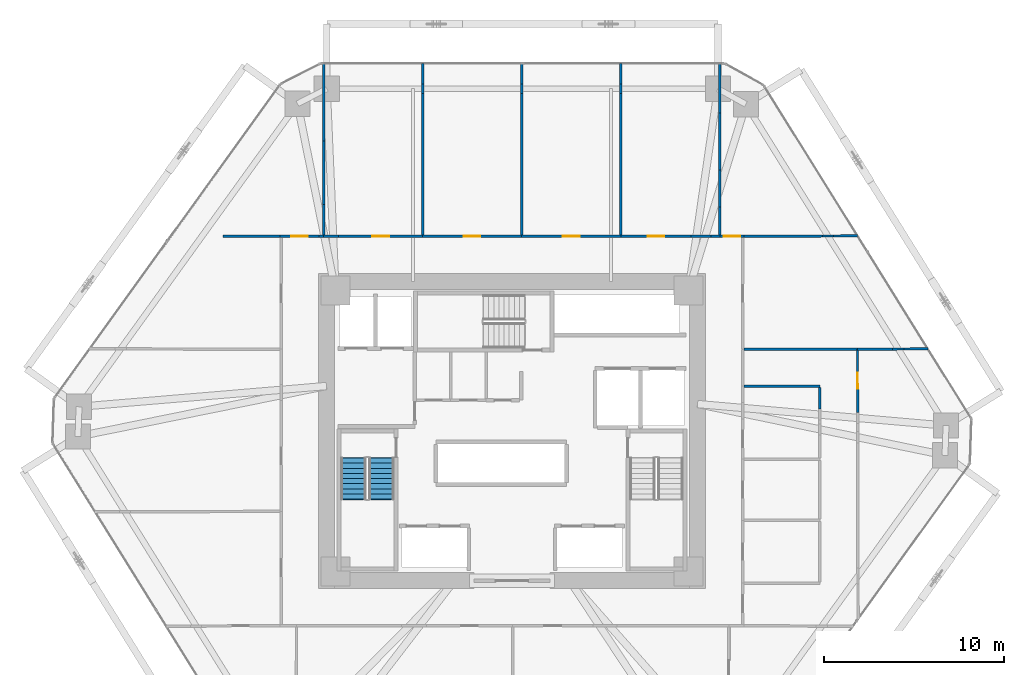
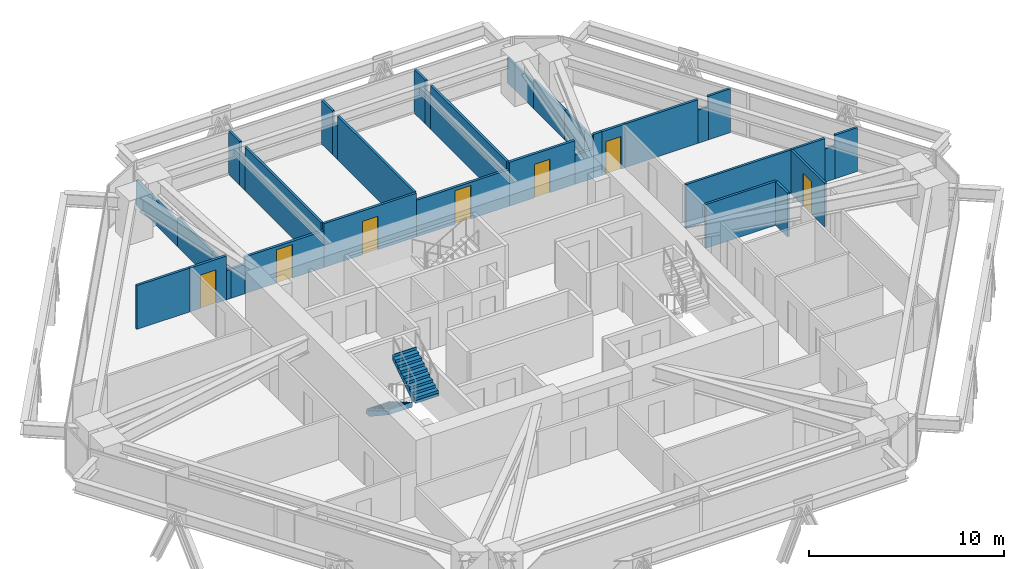
# One storey, part 16 of 18: 37 walls, 7 doors, 2 stair flights, 7 openings, 1 element without a shape of its own.
"""IFC4 building model written with IfcOpenShell, lengths in metres."""

from ifc_helpers import new_model, si_unit, direction, frame, frame_2d, origin, place, context, subcontext, project, spatial, polyline, rectangle, outline, extrude, source, transform, mapped, material, layer, layer_set, type_object, type_shapes, element, fill, aggregate, save


model = new_model("IFC4")

# Units and contexts
model_context = context("Model", 3, precision=1e-05, world=origin(), true_north=direction((0.0, 1.0)))
body_context = subcontext(model_context, "Body", "Model", "MODEL_VIEW")
ifc_project = project(units=[si_unit("LENGTHUNIT", "METRE"), si_unit("AREAUNIT", "SQUARE_METRE"), si_unit("VOLUMEUNIT", "CUBIC_METRE"), si_unit("PLANEANGLEUNIT", "RADIAN"), si_unit("MASSUNIT", "GRAM", prefix="KILO")], contexts=[model_context])

# Site, building, storey
site_placement = place(None, origin())
site = spatial("IfcSite", under=ifc_project, at=site_placement, CompositionType="ELEMENT")
building_placement = place(site_placement, origin())
building = spatial("IfcBuilding", under=site, at=building_placement, Name="Durnholm Broadcast Tower", CompositionType="ELEMENT")
storey_placement = place(building_placement, frame((0.0, 0.0, 78.300048828125)))
storey = spatial("IfcBuildingStorey", under=building, at=storey_placement, Name="L20", CompositionType="ELEMENT", Elevation=78.300048828125)

# Walls
ifc_material_1 = material(Name="Gypsum Metal Stud Partition", Category="concrete")
ifc_layer_1 = layer(ifc_material_1, 0.135009765625)
ifc_layer_set_1 = layer_set([ifc_layer_1], Name="Gypsum Metal Stud Partition")
wall_type_1 = type_object("IfcWallType", Name="WALL-PART-135", PredefinedType="PARTITIONING", material=ifc_layer_set_1)
wall_1_placement = place(storey_placement, frame((-10.4599609375, 16.098388671875, 0.0), z_axis=(0.0, 0.0, 1.0), x_axis=(0.0, -1.0, 0.0)))
element("IfcWall", 1, at=wall_1_placement, inside=storey, type_object=wall_type_1, Name="L20 room dividing partition 7.8", PredefinedType="PARTITIONING", context=body_context, shape_type="SweptSolid", body=[
    extrude(rectangle(XDim=3.534912109375, YDim=0.135009765625, at=frame_2d((1.767578125, 0.0))), origin(), (0.0, 0.0, 1.0), 1.830078125),
])
wall_2_placement = place(storey_placement, frame((-10.4599609375, 20.39990234375, 0.0), z_axis=(0.0, 0.0, 1.0), x_axis=(0.0, -1.0, 0.0)))
element("IfcWall", 2, at=wall_2_placement, inside=storey, type_object=wall_type_1, Name="L20 room dividing partition 7.8", PredefinedType="PARTITIONING", context=body_context, shape_type="SweptSolid", body=[
    extrude(rectangle(XDim=4.301513671875, YDim=0.135009765625, at=frame_2d((2.15087890625, 0.0))), origin(), (0.0, 0.0, 1.0), 1.5771484375),
])
wall_3_placement = place(storey_placement, frame((-10.4599609375, 12.5634765625, 0.0), z_axis=(0.0, 0.0, 1.0), x_axis=(0.0, -1.0, 0.0)))
element("IfcWall", 3, at=wall_3_placement, inside=storey, type_object=wall_type_1, Name="L20 room dividing partition 7.8", PredefinedType="PARTITIONING", context=body_context, shape_type="SweptSolid", body=[
    extrude(rectangle(XDim=1.674560546875, YDim=0.135009765625, at=frame_2d((0.83740234375, 0.0))), origin(), (0.0, 0.0, 1.0), 1.830078125),
])
wall_4_placement = place(storey_placement, frame((-12.889892578125, 10.81005859375, 0.0), z_axis=(0.0, 0.0, 1.0), x_axis=(-1.0, 0.0, 0.0)))
element("IfcWall", 4, at=wall_4_placement, inside=storey, type_object=wall_type_1, Name="L20 room dividing partition 7.20", PredefinedType="PARTITIONING", context=body_context, shape_type="SweptSolid", body=[
    extrude(rectangle(XDim=3.150146484375, YDim=0.135009765625, at=frame_2d((1.5751953125, 0.0))), origin(), (0.0, 0.0, 1.0), 2.744873046875),
])
wall_5_placement = place(storey_placement, frame((-4.9599609375, 20.39990234375, 0.0), z_axis=(0.0, 0.0, 1.0), x_axis=(0.0, -1.0, 0.0)))
element("IfcWall", 5, at=wall_5_placement, inside=storey, type_object=wall_type_1, Name="L20 room dividing partition 8.9", PredefinedType="PARTITIONING", context=body_context, shape_type="SweptSolid", body=[
    extrude(rectangle(XDim=1.135498046875, YDim=0.135009765625, at=frame_2d((0.56787109375, 0.0))), origin(), (0.0, 0.0, 1.0), 2.744873046875),
])
wall_6_placement = place(storey_placement, frame((-4.9599609375, 18.735595703125, 0.0), z_axis=(0.0, 0.0, 1.0), x_axis=(0.0, -1.0, 0.0)))
element("IfcWall", 6, at=wall_6_placement, inside=storey, type_object=wall_type_1, Name="L20 room dividing partition 8.9", PredefinedType="PARTITIONING", context=body_context, shape_type="SweptSolid", body=[
    extrude(rectangle(XDim=7.8466796875, YDim=0.135009765625, at=frame_2d((3.92333984375, 0.0))), origin(), (0.0, 0.0, 1.0), 2.744873046875),
])
wall_7_placement = place(storey_placement, frame((-4.9599609375, 19.264404296875, 0.0), z_axis=(0.0, 0.0, 1.0), x_axis=(0.0, -1.0, 0.0)))
element("IfcWall", 7, at=wall_7_placement, inside=storey, type_object=wall_type_1, Name="L20 room dividing partition 8.9", PredefinedType="PARTITIONING", context=body_context, shape_type="SweptSolid", body=[
    extrude(rectangle(XDim=0.52880859375, YDim=0.135009765625, at=frame_2d((0.264404296875, 0.0))), origin(), (0.0, 0.0, 1.0), 2.079833984375),
])
wall_8_placement = place(storey_placement, frame((0.5400390625, 20.39990234375, 0.0), z_axis=(0.0, 0.0, 1.0), x_axis=(0.0, -1.0, 0.0)))
element("IfcWall", 8, at=wall_8_placement, inside=storey, type_object=wall_type_1, Name="L20 room dividing partition 9.10", PredefinedType="PARTITIONING", context=body_context, shape_type="SweptSolid", body=[
    extrude(rectangle(XDim=1.135498046875, YDim=0.135009765625, at=frame_2d((0.56787109375, 0.0))), origin(), (0.0, 0.0, 1.0), 2.744873046875),
])
wall_9_placement = place(storey_placement, frame((0.5400390625, 18.735595703125, 0.0), z_axis=(0.0, 0.0, 1.0), x_axis=(0.0, -1.0, 0.0)))
element("IfcWall", 9, at=wall_9_placement, inside=storey, type_object=wall_type_1, Name="L20 room dividing partition 9.10", PredefinedType="PARTITIONING", context=body_context, shape_type="SweptSolid", body=[
    extrude(rectangle(XDim=7.8466796875, YDim=0.135009765625, at=frame_2d((3.92333984375, 0.0))), origin(), (0.0, 0.0, 1.0), 2.744873046875),
])
wall_10_placement = place(storey_placement, frame((0.5400390625, 19.264404296875, 0.0), z_axis=(0.0, 0.0, 1.0), x_axis=(0.0, -1.0, 0.0)))
element("IfcWall", 10, at=wall_10_placement, inside=storey, type_object=wall_type_1, Name="L20 room dividing partition 9.10", PredefinedType="PARTITIONING", context=body_context, shape_type="SweptSolid", body=[
    extrude(rectangle(XDim=0.52880859375, YDim=0.135009765625, at=frame_2d((0.264404296875, 0.0))), origin(), (0.0, 0.0, 1.0), 2.079833984375),
])
wall_11_placement = place(storey_placement, frame((6.0400390625, 20.39990234375, 0.0), z_axis=(0.0, 0.0, 1.0), x_axis=(0.0, -1.0, 0.0)))
element("IfcWall", 11, at=wall_11_placement, inside=storey, type_object=wall_type_1, Name="L20 room dividing partition 10.11", PredefinedType="PARTITIONING", context=body_context, shape_type="SweptSolid", body=[
    extrude(rectangle(XDim=1.135498046875, YDim=0.135009765625, at=frame_2d((0.56787109375, 0.0))), origin(), (0.0, 0.0, 1.0), 2.744873046875),
])
wall_12_placement = place(storey_placement, frame((6.0400390625, 18.735595703125, 0.0), z_axis=(0.0, 0.0, 1.0), x_axis=(0.0, -1.0, 0.0)))
element("IfcWall", 12, at=wall_12_placement, inside=storey, type_object=wall_type_1, Name="L20 room dividing partition 10.11", PredefinedType="PARTITIONING", context=body_context, shape_type="SweptSolid", body=[
    extrude(rectangle(XDim=7.8466796875, YDim=0.135009765625, at=frame_2d((3.92333984375, 0.0))), origin(), (0.0, 0.0, 1.0), 2.744873046875),
])
wall_13_placement = place(storey_placement, frame((6.0400390625, 19.264404296875, 0.0), z_axis=(0.0, 0.0, 1.0), x_axis=(0.0, -1.0, 0.0)))
element("IfcWall", 13, at=wall_13_placement, inside=storey, type_object=wall_type_1, Name="L20 room dividing partition 10.11", PredefinedType="PARTITIONING", context=body_context, shape_type="SweptSolid", body=[
    extrude(rectangle(XDim=0.52880859375, YDim=0.135009765625, at=frame_2d((0.264404296875, 0.0))), origin(), (0.0, 0.0, 1.0), 2.079833984375),
])
wall_14_placement = place(storey_placement, frame((11.5400390625, 17.651611328125, 0.0), z_axis=(0.0, 0.0, 1.0), x_axis=(0.0, -1.0, 0.0)))
element("IfcWall", 14, at=wall_14_placement, inside=storey, type_object=wall_type_1, Name="L20 room dividing partition 11.12", PredefinedType="PARTITIONING", context=body_context, shape_type="SweptSolid", body=[
    extrude(rectangle(XDim=3.173095703125, YDim=0.135009765625, at=frame_2d((1.58642578125, 0.0))), origin(), (0.0, 0.0, 1.0), 1.830078125),
])
wall_15_placement = place(storey_placement, frame((11.5400390625, 12.425537109375, 0.0), z_axis=(0.0, 0.0, 1.0), x_axis=(0.0, -1.0, 0.0)))
element("IfcWall", 15, at=wall_15_placement, inside=storey, type_object=wall_type_1, Name="L20 room dividing partition 11.12", PredefinedType="PARTITIONING", context=body_context, shape_type="SweptSolid", body=[
    extrude(rectangle(XDim=1.53662109375, YDim=0.135009765625, at=frame_2d((0.768310546875, 0.0))), origin(), (0.0, 0.0, 1.0), 1.830078125),
])
wall_16_placement = place(storey_placement, frame((11.5400390625, 20.39990234375, 0.0), z_axis=(0.0, 0.0, 1.0), x_axis=(0.0, -1.0, 0.0)))
element("IfcWall", 16, at=wall_16_placement, inside=storey, type_object=wall_type_1, Name="L20 room dividing partition 11.12", PredefinedType="PARTITIONING", context=body_context, shape_type="SweptSolid", body=[
    extrude(rectangle(XDim=2.748291015625, YDim=0.135009765625, at=frame_2d((1.3740234375, 0.0))), origin(), (0.0, 0.0, 1.0), 1.5771484375),
])
wall_17_placement = place(storey_placement, frame((11.5400390625, 14.478515625, 0.0), z_axis=(0.0, 0.0, 1.0), x_axis=(0.0, -1.0, 0.0)))
element("IfcWall", 17, at=wall_17_placement, inside=storey, type_object=wall_type_1, Name="L20 room dividing partition 11.12", PredefinedType="PARTITIONING", context=body_context, shape_type="SweptSolid", body=[
    extrude(rectangle(XDim=2.052978515625, YDim=0.135009765625, at=frame_2d((1.0263671875, 0.0))), origin(), (0.0, 0.0, 1.0), 1.830078125),
])
wall_18_placement = place(storey_placement, frame((19.18212890625, 10.831298828125, 0.0), z_axis=(0.0, 0.0, 1.0), x_axis=(-0.999994579825, -0.00329246432, 0.0)))
element("IfcWall", 18, at=wall_18_placement, inside=storey, type_object=wall_type_1, Name="L20 room dividing partition 12.23", PredefinedType="PARTITIONING", context=body_context, shape_type="SweptSolid", body=[
    extrude(rectangle(XDim=1.334716796875, YDim=0.135009765625, at=frame_2d((0.66748046875, 0.0))), origin(), (0.0, 0.0, 1.0), 2.744873046875),
])
wall_19_placement = place(storey_placement, frame((17.225341796875, 10.82470703125, 0.0), z_axis=(0.0, 0.0, 1.0), x_axis=(-0.999994480721, -0.003322427884, 0.0)))
element("IfcWall", 19, at=wall_19_placement, inside=storey, type_object=wall_type_1, Name="L20 room dividing partition 12.23", PredefinedType="PARTITIONING", context=body_context, shape_type="SweptSolid", body=[
    extrude(rectangle(XDim=4.33544921875, YDim=0.135009765625, at=frame_2d((2.167724609375, 0.0))), origin(), (0.0, 0.0, 1.0), 2.744873046875),
])
wall_20_placement = place(storey_placement, frame((17.847412109375, 10.826904296875, 0.0), z_axis=(0.0, 0.0, 1.0), x_axis=(-0.999993761903, -0.00353216007, 0.0)))
element("IfcWall", 20, at=wall_20_placement, inside=storey, type_object=wall_type_1, Name="L20 room dividing partition 12.23", PredefinedType="PARTITIONING", context=body_context, shape_type="SweptSolid", body=[
    extrude(rectangle(XDim=0.6220703125, YDim=0.135009765625, at=frame_2d((0.31103515625, 0.0))), origin(), (0.0, 0.0, 1.0), 2.079833984375),
])

# Wall, opening, door
wall_21_placement = place(storey_placement, frame((19.177001953125, 4.5400390625, 0.0), z_axis=(0.0, 0.0, 1.0), x_axis=(0.002156066765, -0.999997675685, 0.0)))
wall_21 = element("IfcWall", 21, at=wall_21_placement, inside=storey, type_object=wall_type_1, Name="L20 room dividing partition 21.22", PredefinedType="PARTITIONING", context=body_context, shape_type="SweptSolid", body=[
    extrude(rectangle(XDim=3.51025390625, YDim=0.135009765625, at=frame_2d((1.755126953125, 0.0))), origin(), (0.0, 0.0, 1.0), 2.744873046875),
])
opening_1_placement = place(wall_21_placement, frame((1.30517578125, 0.0, 0.0)))
opening_1 = element("IfcOpeningElement", 22, at=opening_1_placement, cuts=wall_21, Name="Opening DW-90L", PredefinedType="OPENING", context=body_context, shape_type="SweptSolid", body=[
    extrude(rectangle(XDim=0.89990234375, YDim=2.050048828125, at=frame_2d((0.449951171875, 1.02490234375))), frame((0.0, 0.07763671875, 0.0), z_axis=(0.0, -1.0, 0.0), x_axis=(1.0, 0.0, 0.0)), (0.0, 0.0, 1.0), 0.155029296875),
])
ifc_material_2 = material(Name="Laminate Restroom Door", Category="steel")
ifc_layer_2 = layer(ifc_material_2, 0.050048828125)
ifc_layer_set_2 = layer_set([ifc_layer_2], Name="Laminate Restroom Door")
door_type_1 = type_object("IfcDoorType", Name="DOOR-WC-900L", OperationType="NOTDEFINED", PredefinedType="DOOR", material=ifc_layer_set_2)
shared_shape_1 = source(origin(), body_context, "Body", "SweptSolid", [
    extrude(rectangle(XDim=0.89990234375, YDim=2.050048828125, at=frame_2d((0.449951171875, 1.02490234375))), frame((0.0, 0.02490234375, 0.0), z_axis=(0.0, -1.0, 0.0), x_axis=(1.0, 0.0, 0.0)), (0.0, 0.0, 1.0), 0.050048828125),
])
type_shapes(door_type_1, [shared_shape_1])
door_1_placement = place(opening_1_placement, origin())
door_1 = element("IfcDoor", 23, at=door_1_placement, inside=storey, type_object=door_type_1, Name="L20 Script Office connecting door", OperationType="SINGLE_SWING_LEFT", OverallHeight=2.050048828125, OverallWidth=0.89990234375, PredefinedType="DOOR", context=body_context, shape_type="MappedRepresentation", body=[
    mapped(shared_shape_1, transform((0.0, 0.0, 0.0), x_axis=(1.0, 0.0, 0.0), y_axis=(0.0, 1.0, 0.0), z_axis=(0.0, 0.0, 1.0), scale=1.0)),
])
fill(opening_1, door_1)

# Walls
wall_22_placement = place(storey_placement, frame((12.888916015625, 4.5400390625, 0.0), z_axis=(0.0, 0.0, 1.0), x_axis=(1.0, 0.0, 0.0)))
element("IfcWall", 24, at=wall_22_placement, inside=storey, type_object=wall_type_1, Name="L20 room dividing partition 21.23", PredefinedType="PARTITIONING", context=body_context, shape_type="SweptSolid", body=[
    extrude(rectangle(XDim=6.2880859375, YDim=0.135009765625, at=frame_2d((3.14404296875, 0.0))), origin(), (0.0, 0.0, 1.0), 2.744873046875),
])
wall_23_placement = place(storey_placement, frame((19.177001953125, 4.540283203125, 0.0), z_axis=(0.0, 0.0, 1.0), x_axis=(0.999985583847, 0.00536955296, 0.0)))
element("IfcWall", 25, at=wall_23_placement, inside=storey, type_object=wall_type_1, Name="L20 room dividing partition 22.23", PredefinedType="PARTITIONING", context=body_context, shape_type="SweptSolid", body=[
    extrude(rectangle(XDim=1.955078125, YDim=0.135009765625, at=frame_2d((0.9775390625, 0.0))), origin(), (0.0, 0.0, 1.0), 2.744873046875),
])
wall_24_placement = place(storey_placement, frame((21.75341796875, 4.553955078125, 0.0), z_axis=(0.0, 0.0, 1.0), x_axis=(0.999985895051, 0.005311280395, 0.0)))
element("IfcWall", 26, at=wall_24_placement, inside=storey, type_object=wall_type_1, Name="L20 room dividing partition 22.23", PredefinedType="PARTITIONING", context=body_context, shape_type="SweptSolid", body=[
    extrude(rectangle(XDim=1.3330078125, YDim=0.135009765625, at=frame_2d((0.66650390625, 0.0))), origin(), (0.0, 0.0, 1.0), 2.744873046875),
])
wall_25_placement = place(storey_placement, frame((21.132080078125, 4.55078125, 0.0), z_axis=(0.0, 0.0, 1.0), x_axis=(0.999986954142, 0.005107988371, 0.0)))
element("IfcWall", 27, at=wall_25_placement, inside=storey, type_object=wall_type_1, Name="L20 room dividing partition 22.23", PredefinedType="PARTITIONING", context=body_context, shape_type="SweptSolid", body=[
    extrude(rectangle(XDim=0.621337890625, YDim=0.135009765625, at=frame_2d((0.310546875, 0.0))), origin(), (0.0, 0.0, 1.0), 2.079833984375),
])

# Wall, opening, door
ifc_material_3 = material(Name="Acoustic Gypsum Stud Partition", Category="concrete")
ifc_layer_3 = layer(ifc_material_3, 0.14990234375)
ifc_layer_set_3 = layer_set([ifc_layer_3], Name="Acoustic Gypsum Stud Partition")
wall_type_2 = type_object("IfcWallType", Name="WALL-PART-150", PredefinedType="PARTITIONING", material=ifc_layer_set_3)
wall_26_placement = place(storey_placement, frame((-10.719970703125, 10.81005859375, 0.0), z_axis=(0.0, 0.0, 1.0), x_axis=(-1.0, 0.0, 0.0)))
wall_26 = element("IfcWall", 28, at=wall_26_placement, inside=storey, type_object=wall_type_2, Name="L20 Documentary Office 1 corridor partition", PredefinedType="PARTITIONING", context=body_context, shape_type="SweptSolid", body=[
    extrude(rectangle(XDim=2.169921875, YDim=0.14990234375, at=frame_2d((1.0849609375, 0.0))), origin(), (0.0, 0.0, 1.0), 2.744873046875),
])
opening_2_placement = place(wall_26_placement, frame((0.625, 0.0, 0.0)))
opening_2 = element("IfcOpeningElement", 29, at=opening_2_placement, cuts=wall_26, Name="Opening DR-92L", PredefinedType="OPENING", context=body_context, shape_type="SweptSolid", body=[
    extrude(rectangle(XDim=0.919921875, YDim=2.10009765625, at=frame_2d((0.4599609375, 1.050048828125))), frame((0.0, 0.0849609375, 0.0), z_axis=(0.0, -1.0, 0.0), x_axis=(1.0, 0.0, 0.0)), (0.0, 0.0, 1.0), 0.169921875),
])
ifc_material_4 = material(Name="Oak Veneer Office Door", Category="wood")
ifc_layer_4 = layer(ifc_material_4, 0.050048828125)
ifc_layer_set_4 = layer_set([ifc_layer_4], Name="Oak Veneer Office Door")
door_type_2 = type_object("IfcDoorType", Name="DOOR-RM-920L", OperationType="NOTDEFINED", PredefinedType="DOOR", material=ifc_layer_set_4)
shared_shape_2 = source(origin(), body_context, "Body", "SweptSolid", [
    extrude(rectangle(XDim=0.919921875, YDim=2.10009765625, at=frame_2d((0.4599609375, 1.050048828125))), frame((0.0, 0.02490234375, 0.0), z_axis=(0.0, -1.0, 0.0), x_axis=(1.0, 0.0, 0.0)), (0.0, 0.0, 1.0), 0.050048828125),
])
type_shapes(door_type_2, [shared_shape_2])
door_2_placement = place(opening_2_placement, origin())
door_2 = element("IfcDoor", 30, at=door_2_placement, inside=storey, type_object=door_type_2, Name="L20 Documentary Office 1 entrance door", OperationType="SINGLE_SWING_LEFT", OverallHeight=2.10009765625, OverallWidth=0.919921875, PredefinedType="DOOR", context=body_context, shape_type="MappedRepresentation", body=[
    mapped(shared_shape_2, transform((0.0, 0.0, 0.0), x_axis=(1.0, 0.0, 0.0), y_axis=(0.0, 1.0, 0.0), z_axis=(0.0, 0.0, 1.0), scale=1.0)),
])
fill(opening_2, door_2)

# Wall
wall_27_placement = place(storey_placement, frame((-10.4599609375, 10.81005859375, 0.0), z_axis=(0.0, 0.0, 1.0), x_axis=(-1.0, 0.0, 0.0)))
element("IfcWall", 31, at=wall_27_placement, inside=storey, type_object=wall_type_2, Name="L20 Documentary Office 1 corridor partition", PredefinedType="PARTITIONING", context=body_context, shape_type="SweptSolid", body=[
    extrude(rectangle(XDim=0.260009765625, YDim=0.14990234375, at=frame_2d((0.1298828125, 0.0))), origin(), (0.0, 0.0, 1.0), 1.830078125),
])

# Wall, opening, door
wall_28_placement = place(storey_placement, frame((-4.9599609375, 10.81005859375, 0.0), z_axis=(0.0, 0.0, 1.0), x_axis=(-1.0, 0.0, 0.0)))
wall_28 = element("IfcWall", 32, at=wall_28_placement, inside=storey, type_object=wall_type_2, Name="L20 Documentary Office 2 corridor partition", PredefinedType="PARTITIONING", context=body_context, shape_type="SweptSolid", body=[
    extrude(rectangle(XDim=4.66748046875, YDim=0.14990234375, at=frame_2d((2.333740234375, 0.0))), origin(), (0.0, 0.0, 1.0), 2.297607421875),
])
opening_3_placement = place(wall_28_placement, frame((1.858642578125, 0.0, 0.0)))
opening_3 = element("IfcOpeningElement", 33, at=opening_3_placement, cuts=wall_28, Name="Opening DR-95R", PredefinedType="OPENING", context=body_context, shape_type="SweptSolid", body=[
    extrude(rectangle(XDim=0.949951171875, YDim=2.10009765625, at=frame_2d((0.47509765625, 1.050048828125))), frame((0.0, 0.0849609375, 0.0), z_axis=(0.0, -1.0, 0.0), x_axis=(1.0, 0.0, 0.0)), (0.0, 0.0, 1.0), 0.169921875),
])
ifc_material_5 = material(Name="Acoustic Oak Veneer Timber Door", Category="wood")
ifc_layer_5 = layer(ifc_material_5, 0.050048828125)
ifc_layer_set_5 = layer_set([ifc_layer_5], Name="Acoustic Oak Veneer Timber Door")
door_type_3 = type_object("IfcDoorType", Name="DOOR-RM-950R", OperationType="NOTDEFINED", PredefinedType="DOOR", material=ifc_layer_set_5)
shared_shape_3 = source(origin(), body_context, "Body", "SweptSolid", [
    extrude(rectangle(XDim=0.949951171875, YDim=2.10009765625, at=frame_2d((0.47509765625, 1.050048828125))), frame((0.0, 0.02490234375, 0.0), z_axis=(0.0, -1.0, 0.0), x_axis=(1.0, 0.0, 0.0)), (0.0, 0.0, 1.0), 0.050048828125),
])
type_shapes(door_type_3, [shared_shape_3])
door_3_placement = place(opening_3_placement, origin())
door_3 = element("IfcDoor", 34, at=door_3_placement, inside=storey, type_object=door_type_3, Name="L20 Documentary Office 2 entrance door", OperationType="SINGLE_SWING_RIGHT", OverallHeight=2.10009765625, OverallWidth=0.949951171875, PredefinedType="DOOR", context=body_context, shape_type="MappedRepresentation", body=[
    mapped(shared_shape_3, transform((0.0, 0.0, 0.0), x_axis=(1.0, 0.0, 0.0), y_axis=(0.0, 1.0, 0.0), z_axis=(0.0, 0.0, 1.0), scale=1.0)),
])
fill(opening_3, door_3)

# Wall
wall_29_placement = place(storey_placement, frame((-9.62744140625, 10.81005859375, 0.0), z_axis=(0.0, 0.0, 1.0), x_axis=(-1.0, 0.0, 0.0)))
element("IfcWall", 35, at=wall_29_placement, inside=storey, type_object=wall_type_2, Name="L20 Documentary Office 2 corridor partition", PredefinedType="PARTITIONING", context=body_context, shape_type="SweptSolid", body=[
    extrude(rectangle(XDim=0.83251953125, YDim=0.14990234375, at=frame_2d((0.416259765625, 0.0))), origin(), (0.0, 0.0, 1.0), 1.830078125),
])

# Wall, opening, door
wall_30_placement = place(storey_placement, frame((0.5400390625, 10.81005859375, 0.0), z_axis=(0.0, 0.0, 1.0), x_axis=(-1.0, 0.0, 0.0)))
wall_30 = element("IfcWall", 36, at=wall_30_placement, inside=storey, type_object=wall_type_2, Name="L20 Post Edit Office 1 corridor partition", PredefinedType="PARTITIONING", context=body_context, shape_type="SweptSolid", body=[
    extrude(rectangle(XDim=5.5, YDim=0.14990234375, at=frame_2d((2.75, 0.0))), origin(), (0.0, 0.0, 1.0), 2.744873046875),
])
opening_4_placement = place(wall_30_placement, frame((2.2900390625, 0.0, 0.0)))
opening_4 = element("IfcOpeningElement", 37, at=opening_4_placement, cuts=wall_30, Name="Opening DR-92L", PredefinedType="OPENING", context=body_context, shape_type="SweptSolid", body=[
    extrude(rectangle(XDim=0.919921875, YDim=2.10009765625, at=frame_2d((0.4599609375, 1.050048828125))), frame((0.0, 0.0849609375, 0.0), z_axis=(0.0, -1.0, 0.0), x_axis=(1.0, 0.0, 0.0)), (0.0, 0.0, 1.0), 0.169921875),
])
door_4_placement = place(opening_4_placement, origin())
door_4 = element("IfcDoor", 38, at=door_4_placement, inside=storey, type_object=door_type_2, Name="L20 Post Edit Office 1 entrance door", OperationType="SINGLE_SWING_LEFT", OverallHeight=2.10009765625, OverallWidth=0.919921875, PredefinedType="DOOR", context=body_context, shape_type="MappedRepresentation", body=[
    mapped(shared_shape_2, transform((0.0, 0.0, 0.0), x_axis=(1.0, 0.0, 0.0), y_axis=(0.0, 1.0, 0.0), z_axis=(0.0, 0.0, 1.0), scale=1.0)),
])
fill(opening_4, door_4)

wall_31_placement = place(storey_placement, frame((6.0400390625, 10.81005859375, 0.0), z_axis=(0.0, 0.0, 1.0), x_axis=(-1.0, 0.0, 0.0)))
wall_31 = element("IfcWall", 39, at=wall_31_placement, inside=storey, type_object=wall_type_2, Name="L20 Post Edit Office 2 corridor partition", PredefinedType="PARTITIONING", context=body_context, shape_type="SweptSolid", body=[
    extrude(rectangle(XDim=5.5, YDim=0.14990234375, at=frame_2d((2.75, 0.0))), origin(), (0.0, 0.0, 1.0), 2.297607421875),
])
opening_5_placement = place(wall_31_placement, frame((2.27490234375, 0.0, 0.0)))
opening_5 = element("IfcOpeningElement", 40, at=opening_5_placement, cuts=wall_31, Name="Opening DR-95R", PredefinedType="OPENING", context=body_context, shape_type="SweptSolid", body=[
    extrude(rectangle(XDim=0.949951171875, YDim=2.10009765625, at=frame_2d((0.47509765625, 1.050048828125))), frame((0.0, 0.0849609375, 0.0), z_axis=(0.0, -1.0, 0.0), x_axis=(1.0, 0.0, 0.0)), (0.0, 0.0, 1.0), 0.169921875),
])
door_5_placement = place(opening_5_placement, origin())
door_5 = element("IfcDoor", 41, at=door_5_placement, inside=storey, type_object=door_type_3, Name="L20 Post Edit Office 2 entrance door", OperationType="SINGLE_SWING_RIGHT", OverallHeight=2.10009765625, OverallWidth=0.949951171875, PredefinedType="DOOR", context=body_context, shape_type="MappedRepresentation", body=[
    mapped(shared_shape_3, transform((0.0, 0.0, 0.0), x_axis=(1.0, 0.0, 0.0), y_axis=(0.0, 1.0, 0.0), z_axis=(0.0, 0.0, 1.0), scale=1.0)),
])
fill(opening_5, door_5)

# Wall
wall_32_placement = place(storey_placement, frame((11.5400390625, 10.81005859375, 0.0), z_axis=(0.0, 0.0, 1.0), x_axis=(-1.0, 0.0, 0.0)))
element("IfcWall", 42, at=wall_32_placement, inside=storey, type_object=wall_type_2, Name="L20 Foley Office corridor partition", PredefinedType="PARTITIONING", context=body_context, shape_type="SweptSolid", body=[
    extrude(rectangle(XDim=0.49755859375, YDim=0.14990234375, at=frame_2d((0.248779296875, 0.0))), origin(), (0.0, 0.0, 1.0), 2.744873046875),
])

# Wall, opening, door
wall_33_placement = place(storey_placement, frame((9.93310546875, 10.81005859375, 0.0), z_axis=(0.0, 0.0, 1.0), x_axis=(-1.0, 0.0, 0.0)))
wall_33 = element("IfcWall", 43, at=wall_33_placement, inside=storey, type_object=wall_type_2, Name="L20 Foley Office corridor partition", PredefinedType="PARTITIONING", context=body_context, shape_type="SweptSolid", body=[
    extrude(rectangle(XDim=3.89306640625, YDim=0.14990234375, at=frame_2d((1.946533203125, 0.0))), origin(), (0.0, 0.0, 1.0), 2.744873046875),
])
opening_6_placement = place(wall_33_placement, frame((1.486572265625, 0.0, 0.0)))
opening_6 = element("IfcOpeningElement", 44, at=opening_6_placement, cuts=wall_33, Name="Opening DR-92L", PredefinedType="OPENING", context=body_context, shape_type="SweptSolid", body=[
    extrude(rectangle(XDim=0.919921875, YDim=2.10009765625, at=frame_2d((0.4599609375, 1.050048828125))), frame((0.0, 0.0849609375, 0.0), z_axis=(0.0, -1.0, 0.0), x_axis=(1.0, 0.0, 0.0)), (0.0, 0.0, 1.0), 0.169921875),
])
door_6_placement = place(opening_6_placement, origin())
door_6 = element("IfcDoor", 45, at=door_6_placement, inside=storey, type_object=door_type_2, Name="L20 Foley Office entrance door", OperationType="SINGLE_SWING_LEFT", OverallHeight=2.10009765625, OverallWidth=0.919921875, PredefinedType="DOOR", context=body_context, shape_type="MappedRepresentation", body=[
    mapped(shared_shape_2, transform((0.0, 0.0, 0.0), x_axis=(1.0, 0.0, 0.0), y_axis=(0.0, 1.0, 0.0), z_axis=(0.0, 0.0, 1.0), scale=1.0)),
])
fill(opening_6, door_6)

# Wall
wall_34_placement = place(storey_placement, frame((11.04248046875, 10.81005859375, 0.0), z_axis=(0.0, 0.0, 1.0), x_axis=(-1.0, 0.0, 0.0)))
element("IfcWall", 46, at=wall_34_placement, inside=storey, type_object=wall_type_2, Name="L20 Foley Office corridor partition", PredefinedType="PARTITIONING", context=body_context, shape_type="SweptSolid", body=[
    extrude(rectangle(XDim=1.109375, YDim=0.14990234375, at=frame_2d((0.5546875, 0.0))), origin(), (0.0, 0.0, 1.0), 1.830078125),
])

# Wall, opening, door
wall_35_placement = place(storey_placement, frame((12.889892578125, 10.81005859375, 0.0), z_axis=(0.0, 0.0, 1.0), x_axis=(-1.0, 0.0, 0.0)))
wall_35 = element("IfcWall", 47, at=wall_35_placement, inside=storey, type_object=wall_type_2, Name="L20 Media Review Meeting Room corridor partition", PredefinedType="PARTITIONING", context=body_context, shape_type="SweptSolid", body=[
    extrude(rectangle(XDim=1.349853515625, YDim=0.14990234375, at=frame_2d((0.6748046875, 0.0))), origin(), (0.0, 0.0, 1.0), 2.744873046875),
])
opening_7_placement = place(wall_35_placement, frame((0.22509765625, 0.0, 0.0)))
opening_7 = element("IfcOpeningElement", 48, at=opening_7_placement, cuts=wall_35, Name="Opening DW-90R", PredefinedType="OPENING", context=body_context, shape_type="SweptSolid", body=[
    extrude(rectangle(XDim=0.89990234375, YDim=2.050048828125, at=frame_2d((0.449951171875, 1.02490234375))), frame((0.0, 0.0849609375, 0.0), z_axis=(0.0, -1.0, 0.0), x_axis=(1.0, 0.0, 0.0)), (0.0, 0.0, 1.0), 0.169921875),
])
ifc_layer_6 = layer(ifc_material_2, 0.050048828125)
ifc_layer_set_6 = layer_set([ifc_layer_6], Name="Laminate Restroom Door")
door_type_4 = type_object("IfcDoorType", Name="DOOR-WC-900R", OperationType="NOTDEFINED", PredefinedType="DOOR", material=ifc_layer_set_6)
shared_shape_4 = source(origin(), body_context, "Body", "SweptSolid", [
    extrude(rectangle(XDim=0.89990234375, YDim=2.050048828125, at=frame_2d((0.449951171875, 1.02490234375))), frame((0.0, 0.02490234375, 0.0), z_axis=(0.0, -1.0, 0.0), x_axis=(1.0, 0.0, 0.0)), (0.0, 0.0, 1.0), 0.050048828125),
])
type_shapes(door_type_4, [shared_shape_4])
door_7_placement = place(opening_7_placement, origin())
door_7 = element("IfcDoor", 49, at=door_7_placement, inside=storey, type_object=door_type_4, Name="L20 Media Review Meeting Room entrance door", OperationType="SINGLE_SWING_RIGHT", OverallHeight=2.050048828125, OverallWidth=0.89990234375, PredefinedType="DOOR", context=body_context, shape_type="MappedRepresentation", body=[
    mapped(shared_shape_4, transform((0.0, 0.0, 0.0), x_axis=(1.0, 0.0, 0.0), y_axis=(0.0, 1.0, 0.0), z_axis=(0.0, 0.0, 1.0), scale=1.0)),
])
fill(opening_7, door_7)

# Walls
ifc_material_6 = material(Name="Moisture-Resistant Tile Partition", Category="concrete")
ifc_layer_7 = layer(ifc_material_6, 0.139892578125)
ifc_layer_set_7 = layer_set([ifc_layer_7], Name="Moisture-Resistant Tile Partition")
wall_type_3 = type_object("IfcWallType", Name="WALL-WC-140", PredefinedType="PARTITIONING", material=ifc_layer_set_7)
wall_36_placement = place(storey_placement, frame((12.888916015625, 2.489990234375, 0.0), z_axis=(0.0, 0.0, 1.0), x_axis=(1.0, 0.0, 0.0)))
element("IfcWall", 50, at=wall_36_placement, inside=storey, type_object=wall_type_3, Name="L20 room dividing partition 6.21", PredefinedType="PARTITIONING", context=body_context, shape_type="SweptSolid", body=[
    extrude(rectangle(XDim=4.201171875, YDim=0.139892578125, at=frame_2d((2.1005859375, 0.0))), origin(), (0.0, 0.0, 1.0), 2.744873046875),
])
wall_37_placement = place(storey_placement, frame((17.090087890625, 2.416015625, 0.0), z_axis=(0.0, 0.0, 1.0), x_axis=(0.0, -1.0, 0.0)))
element("IfcWall", 51, at=wall_37_placement, inside=storey, type_object=wall_type_3, Name="L20 room dividing partition 6.21", PredefinedType="PARTITIONING", context=body_context, shape_type="SweptSolid", body=[
    extrude(rectangle(XDim=1.203857421875, YDim=0.139892578125, at=frame_2d((0.60205078125, 0.0))), origin(), (0.0, 0.0, 1.0), 2.744873046875),
])

# Stair, stair flights
ifc_material_7 = material(Name="Concrete C50/60", Category="concrete")
stair_type = type_object("IfcStairType", Name="STAIR-DL-18R1667", PredefinedType="HALF_TURN_STAIR", material=ifc_material_7)
stair_placement = place(storey_placement, origin())
stair = element("IfcStair", 52, at=stair_placement, inside=storey, type_object=stair_type, Name="L20 ST-1", PredefinedType="HALF_TURN_STAIR")
stair_flight_type = type_object("IfcStairFlightType", Name="FLIGHT-DL-18R1667", PredefinedType="STRAIGHT", material=ifc_material_7)
stair_flight_1_placement = place(storey_placement, frame((-8.800048828125, -1.5, 0.0), z_axis=(0.0, 0.0, 1.0), x_axis=(0.0, -1.0, 0.0)))
stair_flight_1 = element("IfcStairFlight", 53, at=stair_flight_1_placement, type_object=stair_flight_type, Name="ST-1 flight 1", NumberOfRisers=9, NumberOfTreads=8, PredefinedType="STRAIGHT", RiserHeight=0.166666667, TreadLength=0.285, context=body_context, shape_type="SweptSolid", body=[
    extrude(outline(polyline([(-0.0400390625, -0.14990234375), (-0.0400390625, 0.0), (0.0, 0.0), (0.0, 0.166748046875), (0.284912109375, 0.166748046875), (0.284912109375, 0.333251953125), (0.570068359375, 0.333251953125), (0.570068359375, 0.5), (0.85498046875, 0.5), (0.85498046875, 0.666748046875), (1.139892578125, 0.666748046875), (1.139892578125, 0.833251953125), (1.425048828125, 0.833251953125), (1.425048828125, 1.0), (1.7099609375, 1.0), (1.7099609375, 1.166748046875), (1.9951171875, 1.166748046875), (1.9951171875, 1.333251953125), (2.280029296875, 1.333251953125), (2.280029296875, 1.5), (2.320068359375, 1.5), (2.320068359375, 1.35009765625), (2.280029296875, 1.15966796875), (0.296875, -0.14990234375), (-0.0400390625, -0.14990234375)])), frame((0.0, 0.699951171875, 0.0), z_axis=(0.0, -1.0, 0.0), x_axis=(1.0, 0.0, 0.0)), (0.0, 0.0, 1.0), 1.39990234375),
])
stair_flight_2_placement = place(storey_placement, frame((-7.239990234375, -3.780029296875, 1.5), z_axis=(0.0, 0.0, 1.0), x_axis=(0.0, 1.0, 0.0)))
stair_flight_2 = element("IfcStairFlight", 54, at=stair_flight_2_placement, type_object=stair_flight_type, Name="ST-1 flight 2", NumberOfRisers=9, NumberOfTreads=8, PredefinedType="STRAIGHT", RiserHeight=0.166666667, TreadLength=0.285, context=body_context, shape_type="SweptSolid", body=[
    extrude(outline(polyline([(-0.0400390625, -0.14990234375), (-0.0400390625, 0.0), (0.0, 0.0), (0.0, 0.166748046875), (0.284912109375, 0.166748046875), (0.284912109375, 0.333251953125), (0.570068359375, 0.333251953125), (0.570068359375, 0.5), (0.85498046875, 0.5), (0.85498046875, 0.666748046875), (1.139892578125, 0.666748046875), (1.139892578125, 0.833251953125), (1.425048828125, 0.833251953125), (1.425048828125, 1.0), (1.7099609375, 1.0), (1.7099609375, 1.166748046875), (1.9951171875, 1.166748046875), (1.9951171875, 1.333251953125), (2.280029296875, 1.333251953125), (2.280029296875, 1.5), (2.320068359375, 1.5), (2.320068359375, 1.35009765625), (2.280029296875, 1.15966796875), (0.296875, -0.14990234375), (-0.0400390625, -0.14990234375)])), frame((0.0, 0.699951171875, 0.0), z_axis=(0.0, -1.0, 0.0), x_axis=(1.0, 0.0, 0.0)), (0.0, 0.0, 1.0), 1.39990234375),
])
aggregate(stair, [stair_flight_1, stair_flight_2])

save(model, "model.ifc")
